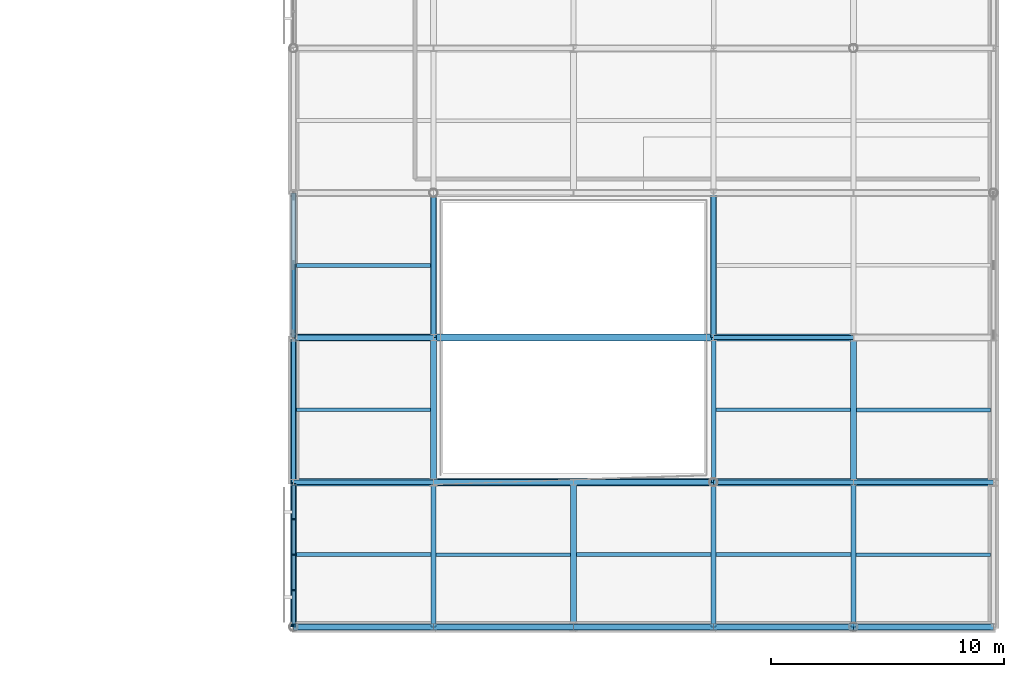
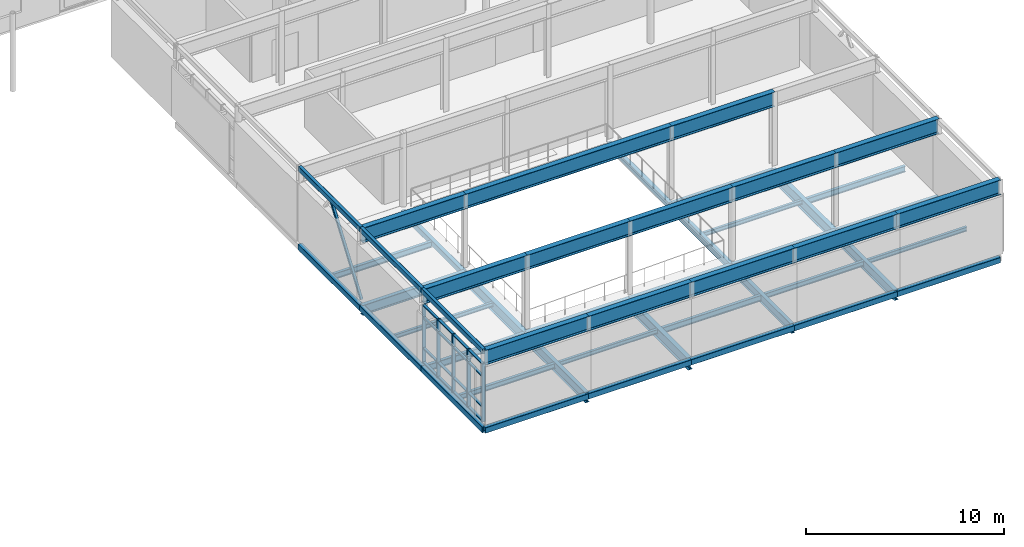
# One storey, part 38 of 84: 49 beams, 22 members, 1 element without a shape of its own.
"""IFC4 building model written with IfcOpenShell, lengths in metres."""

from ifc_helpers import new_model, si_unit, direction, frame, origin, origin_2d, place, context, subcontext, project, spatial, rectangle, hollow_rectangle, i_section, extrude, material, layer, layer_set, material_profile, profile_set, type_object, element, aggregate, save


model = new_model("IFC4")

# Units and contexts
model_context = context("Model", 3, precision=1e-05, world=origin(), true_north=direction((0.0, 1.0)))
body_context = subcontext(model_context, "Body", "Model", "MODEL_VIEW")
ifc_project = project(units=[si_unit("LENGTHUNIT", "METRE"), si_unit("AREAUNIT", "SQUARE_METRE"), si_unit("VOLUMEUNIT", "CUBIC_METRE"), si_unit("PLANEANGLEUNIT", "RADIAN"), si_unit("MASSUNIT", "GRAM", prefix="KILO")], contexts=[model_context])

# Site, building, storey
site_placement = place(None, origin())
site = spatial("IfcSite", under=ifc_project, at=site_placement, CompositionType="ELEMENT")
building_placement = place(site_placement, origin())
building = spatial("IfcBuilding", under=site, at=building_placement, Name="Mirzam Square Science Centre", CompositionType="ELEMENT")
storey_placement = place(building_placement, frame((0.0, 0.0, 10.800048828125)))
storey = spatial("IfcBuildingStorey", under=building, at=storey_placement, Name="L02", CompositionType="ELEMENT", Elevation=10.800048828125)

# Beams
ifc_material_1 = material(Name="Steel S355", Category="steel")
ifc_material_profile_1 = material_profile(ifc_material_1, i_section(OverallWidth=0.1787109375, OverallDepth=0.409423828125, WebThickness=0.0087890625, FlangeThickness=0.014404296875, FilletRadius=0.01025390625, at=origin_2d()), Name="406x178x67UB")
ifc_profile_set_1 = profile_set([ifc_material_profile_1], Name="Steel S355")
beam_type_1 = type_object("IfcBeamType", Name="BM-UB406", PredefinedType="BEAM", material=ifc_profile_set_1)
for number, where, z_axis, x_axis, name in (
    (1, (132.0, 6.199951171875, -0.46484375), (1.0, 0.0, 0.0), (0.0, 1.0, 0.0), "L02 girder X23-2"),
    (2, (156.0, 6.199951171875, -0.46484375), (1.0, 0.0, 0.0), (0.0, 1.0, 0.0), "L02 girder X27-2"),
    (3, (150.0, 12.39990234375, -0.46484375), (1.0, 0.0, 0.0), (0.0, 1.0, 0.0), "L02 girder X26-3"),
):
    element("IfcBeam", number, at=place(storey_placement, frame(where, z_axis=z_axis, x_axis=x_axis)), inside=storey, type_object=beam_type_1, Name=name, PredefinedType="BEAM", context=body_context, shape_type="SweptSolid", body=[
        extrude(i_section(OverallWidth=0.1787109375, OverallDepth=0.409423828125, WebThickness=0.0087890625, FlangeThickness=0.014404296875, FilletRadius=0.01025390625, at=origin_2d()), origin(), (0.0, 0.0, 1.0), 6.0),
    ])
ifc_material_profile_2 = material_profile(ifc_material_1, i_section(OverallWidth=0.19140625, OverallDepth=0.4599609375, WebThickness=0.010009765625, FlangeThickness=0.01611328125, FilletRadius=0.01025390625, at=origin_2d()), Name="457x191x82UB")
ifc_profile_set_2 = profile_set([ifc_material_profile_2], Name="Steel S355")
beam_type_2 = type_object("IfcBeamType", Name="BM-UB457", PredefinedType="BEAM", material=ifc_profile_set_2)
beam_1_placement = place(storey_placement, frame((150.0, 6.199951171875, -0.489990234375), z_axis=(1.0, 0.0, 0.0), x_axis=(0.0, 1.0, 0.0)))
element("IfcBeam", 4, at=beam_1_placement, inside=storey, type_object=beam_type_2, Name="L02 girder X26-2", PredefinedType="BEAM", context=body_context, shape_type="SweptSolid", body=[
    extrude(i_section(OverallWidth=0.19140625, OverallDepth=0.4599609375, WebThickness=0.010009765625, FlangeThickness=0.01611328125, FilletRadius=0.01025390625, at=origin_2d()), origin(), (0.0, 0.0, 1.0), 6.0),
])
beam_2_placement = place(storey_placement, frame((150.0, 6.199951171875, -0.489990234375), z_axis=(0.0, 1.0, 0.0), x_axis=(-1.0, 0.0, 0.0)))
element("IfcBeam", 5, at=beam_2_placement, inside=storey, type_object=beam_type_2, Name="L02 girder Y26-2", PredefinedType="BEAM", context=body_context, shape_type="SweptSolid", body=[
    extrude(i_section(OverallWidth=0.19140625, OverallDepth=0.4599609375, WebThickness=0.010009765625, FlangeThickness=0.01611328125, FilletRadius=0.01025390625, at=origin_2d()), origin(), (0.0, 0.0, 1.0), 6.199951171875),
])
ifc_material_profile_3 = material_profile(ifc_material_1, i_section(OverallWidth=0.2099609375, OverallDepth=0.53662109375, WebThickness=0.0107421875, FlangeThickness=0.017333984375, FilletRadius=0.0126953125, at=origin_2d()), Name="533x210x101UB")
ifc_profile_set_3 = profile_set([ifc_material_profile_3], Name="Steel S355")
beam_type_3 = type_object("IfcBeamType", Name="BM-UB533", PredefinedType="BEAM", material=ifc_profile_set_3)
beam_3_placement = place(storey_placement, frame((150.0, 0.0, -0.528564453125), z_axis=(0.0, 1.0, 0.0), x_axis=(-1.0, 0.0, 0.0)))
element("IfcBeam", 6, at=beam_3_placement, inside=storey, type_object=beam_type_3, Name="L02 girder Y26-1", PredefinedType="BEAM", context=body_context, shape_type="SweptSolid", body=[
    extrude(i_section(OverallWidth=0.2099609375, OverallDepth=0.53662109375, WebThickness=0.0107421875, FlangeThickness=0.017333984375, FilletRadius=0.0126953125, at=origin_2d()), origin(), (0.0, 0.0, 1.0), 6.199951171875),
])
ifc_material_profile_4 = material_profile(ifc_material_1, i_section(OverallWidth=0.22900390625, OverallDepth=0.6123046875, WebThickness=0.011962890625, FlangeThickness=0.01953125, FilletRadius=0.0126953125, at=origin_2d()), Name="610x229x125UB")
ifc_profile_set_4 = profile_set([ifc_material_profile_4], Name="Steel S355")
beam_type_4 = type_object("IfcBeamType", Name="BM-UB610", PredefinedType="BEAM", material=ifc_profile_set_4)
for number, where, z_axis, x_axis, name in (
    (7, (138.0, 6.199951171875, -0.566162109375), (1.0, 0.0, 0.0), (0.0, 1.0, 0.0), "L02 girder X24-2"),
    (8, (132.0, 12.39990234375, -0.566162109375), (1.0, 0.0, 0.0), (0.0, 1.0, 0.0), "L02 girder X23-3"),
):
    element("IfcBeam", number, at=place(storey_placement, frame(where, z_axis=z_axis, x_axis=x_axis)), inside=storey, type_object=beam_type_4, Name=name, PredefinedType="BEAM", context=body_context, shape_type="SweptSolid", body=[
        extrude(i_section(OverallWidth=0.22900390625, OverallDepth=0.6123046875, WebThickness=0.011962890625, FlangeThickness=0.01953125, FilletRadius=0.0126953125, at=origin_2d()), origin(), (0.0, 0.0, 1.0), 6.0),
    ])
for number, where, z_axis, x_axis, name in (
    (9, (138.0, 0.0, -0.566162109375), (0.0, 1.0, 0.0), (-1.0, 0.0, 0.0), "L02 girder Y24-1"),
    (10, (156.0, 0.0, -0.566162109375), (0.0, 1.0, 0.0), (-1.0, 0.0, 0.0), "L02 girder Y27-1"),
):
    element("IfcBeam", number, at=place(storey_placement, frame(where, z_axis=z_axis, x_axis=x_axis)), inside=storey, type_object=beam_type_4, Name=name, PredefinedType="BEAM", context=body_context, shape_type="SweptSolid", body=[
        extrude(i_section(OverallWidth=0.22900390625, OverallDepth=0.6123046875, WebThickness=0.011962890625, FlangeThickness=0.01953125, FilletRadius=0.0126953125, at=origin_2d()), origin(), (0.0, 0.0, 1.0), 6.199951171875),
    ])
ifc_material_profile_5 = material_profile(ifc_material_1, i_section(OverallWidth=0.25439453125, OverallDepth=0.6875, WebThickness=0.01318359375, FlangeThickness=0.02099609375, FilletRadius=0.01513671875, at=origin_2d()), Name="686x254x152UB")
ifc_profile_set_5 = profile_set([ifc_material_profile_5], Name="Steel S355")
beam_type_5 = type_object("IfcBeamType", Name="BM-UB686", PredefinedType="BEAM", material=ifc_profile_set_5)
for number, where, z_axis, x_axis, name in (
    (11, (138.0, 6.199951171875, -0.603759765625), (0.0, 1.0, 0.0), (-1.0, 0.0, 0.0), "L02 girder Y24-2"),
    (12, (144.0, 0.0, -0.603759765625), (0.0, 1.0, 0.0), (-1.0, 0.0, 0.0), "L02 girder Y25-1"),
    (13, (156.0, 6.199951171875, -0.603759765625), (0.0, 1.0, 0.0), (-1.0, 0.0, 0.0), "L02 girder Y27-2"),
):
    element("IfcBeam", number, at=place(storey_placement, frame(where, z_axis=z_axis, x_axis=x_axis)), inside=storey, type_object=beam_type_5, Name=name, PredefinedType="BEAM", context=body_context, shape_type="SweptSolid", body=[
        extrude(i_section(OverallWidth=0.25439453125, OverallDepth=0.6875, WebThickness=0.01318359375, FlangeThickness=0.02099609375, FilletRadius=0.01513671875, at=origin_2d()), origin(), (0.0, 0.0, 1.0), 6.199951171875),
    ])
ifc_material_profile_6 = material_profile(ifc_material_1, i_section(OverallWidth=0.30419921875, OverallDepth=0.910400390625, WebThickness=0.015869140625, FlangeThickness=0.02392578125, FilletRadius=0.01904296875, at=origin_2d()), Name="914x305x224UB")
ifc_profile_set_6 = profile_set([ifc_material_profile_6], Name="Steel S355")
beam_type_6 = type_object("IfcBeamType", Name="BM-UB914", PredefinedType="BEAM", material=ifc_profile_set_6)
for number, where, z_axis, x_axis, name in (
    (14, (132.0, 0.0, 4.07470703125), (1.0, 0.0, 0.0), (0.0, 1.0, 0.0), "Theatre acoustic roof girder 23-1"),
    (15, (138.0, 0.0, 4.07470703125), (1.0, 0.0, 0.0), (0.0, 1.0, 0.0), "Theatre acoustic roof girder 24-1"),
    (16, (144.0, 0.0, 4.07470703125), (1.0, 0.0, 0.0), (0.0, 1.0, 0.0), "Theatre acoustic roof girder 25-1"),
    (17, (150.0, 0.0, 4.07470703125), (1.0, 0.0, 0.0), (0.0, 1.0, 0.0), "Theatre acoustic roof girder 26-1"),
    (18, (156.0, 0.0, 4.07470703125), (1.0, 0.0, 0.0), (0.0, 1.0, 0.0), "Theatre acoustic roof girder 27-1"),
    (19, (132.0, 6.199951171875, 4.07470703125), (1.0, 0.0, 0.0), (0.0, 1.0, 0.0), "Theatre acoustic roof girder 23-2"),
    (20, (138.0, 6.199951171875, 4.07470703125), (1.0, 0.0, 0.0), (0.0, 1.0, 0.0), "Theatre acoustic roof girder 24-2"),
    (21, (144.0, 6.199951171875, 4.07470703125), (1.0, 0.0, 0.0), (0.0, 1.0, 0.0), "Theatre acoustic roof girder 25-2"),
    (22, (150.0, 6.199951171875, 4.07470703125), (1.0, 0.0, 0.0), (0.0, 1.0, 0.0), "Theatre acoustic roof girder 26-2"),
    (23, (156.0, 6.199951171875, 4.07470703125), (1.0, 0.0, 0.0), (0.0, 1.0, 0.0), "Theatre acoustic roof girder 27-2"),
    (24, (132.0, 12.39990234375, 4.07470703125), (1.0, 0.0, 0.0), (0.0, 1.0, 0.0), "Theatre acoustic roof girder 23-3"),
):
    element("IfcBeam", number, at=place(storey_placement, frame(where, z_axis=z_axis, x_axis=x_axis)), inside=storey, type_object=beam_type_6, Name=name, PredefinedType="BEAM", context=body_context, shape_type="SweptSolid", body=[
        extrude(i_section(OverallWidth=0.30419921875, OverallDepth=0.910400390625, WebThickness=0.015869140625, FlangeThickness=0.02392578125, FilletRadius=0.01904296875, at=origin_2d()), origin(), (0.0, 0.0, 1.0), 6.0),
    ])
beam_4_placement = place(storey_placement, frame((138.0, 12.39990234375, 4.07470703125), z_axis=(1.0, 0.0, 0.0), x_axis=(0.0, 1.0, 0.0)))
element("IfcBeam", 25, at=beam_4_placement, inside=storey, type_object=beam_type_6, Name="Theatre long-span acoustic roof girder 24-25", PredefinedType="BEAM", context=body_context, shape_type="SweptSolid", body=[
    extrude(i_section(OverallWidth=0.30419921875, OverallDepth=0.910400390625, WebThickness=0.015869140625, FlangeThickness=0.02392578125, FilletRadius=0.01904296875, at=origin_2d()), origin(), (0.0, 0.0, 1.0), 12.0),
])
beam_5_placement = place(storey_placement, frame((150.0, 12.39990234375, 4.07470703125), z_axis=(1.0, 0.0, 0.0), x_axis=(0.0, 1.0, 0.0)))
element("IfcBeam", 26, at=beam_5_placement, inside=storey, type_object=beam_type_6, Name="Theatre acoustic roof girder 26-3", PredefinedType="BEAM", context=body_context, shape_type="SweptSolid", body=[
    extrude(i_section(OverallWidth=0.30419921875, OverallDepth=0.910400390625, WebThickness=0.015869140625, FlangeThickness=0.02392578125, FilletRadius=0.01904296875, at=origin_2d()), origin(), (0.0, 0.0, 1.0), 6.0),
])

# Member
ifc_material_profile_7 = material_profile(ifc_material_1, hollow_rectangle(XDim=0.14990234375, YDim=0.14990234375, WallThickness=0.008056640625, InnerFilletRadius=0.008056640625, OuterFilletRadius=0.01611328125, at=origin_2d()), Name="150x150x8.0SHS")
ifc_profile_set_7 = profile_set([ifc_material_profile_7], Name="Steel S355")
member_type_1 = type_object("IfcMemberType", Name="BR-SHS150", PredefinedType="BRACE", material=ifc_profile_set_7)
member_1_placement = place(storey_placement, frame((132.0, 12.39990234375, 0.050048828125), z_axis=(0.0, 0.582152888192, 0.813079341005), x_axis=(-1.0, 0.0, 0.0)))
element("IfcMember", 27, at=member_1_placement, inside=storey, type_object=member_type_1, Name="L02 chevron brace 6A", PredefinedType="BRACE", context=body_context, shape_type="SweptSolid", body=[
    extrude(hollow_rectangle(XDim=0.14990234375, YDim=0.14990234375, WallThickness=0.008056640625, InnerFilletRadius=0.008056640625, OuterFilletRadius=0.01611328125, at=origin_2d()), origin(), (0.0, 0.0, 1.0), 5.3251953125),
])

# Curtain wall, members
ifc_material_2 = material(Name="Anodised Aluminium and Low-E Solar Glass", Category="aluminium")
ifc_layer = layer(ifc_material_2, 0.199951171875)
ifc_layer_set = layer_set([ifc_layer], Name="CW-EAST-A")
curtain_wall_type = type_object("IfcCurtainWallType", Name="CW-EAST-A", PredefinedType="USERDEFINED", material=ifc_layer_set)
curtain_wall_placement = place(storey_placement, origin())
curtain_wall = element("IfcCurtainWall", 28, at=curtain_wall_placement, inside=storey, type_object=curtain_wall_type, Name="L02 unitised curtain wall 62", ObjectType="UNITISED CURTAIN WALL", PredefinedType="USERDEFINED")
ifc_material_3 = material(Name="Anodised Architectural Aluminium 6063-T6", Category="aluminium")
ifc_material_profile_8 = material_profile(ifc_material_3, rectangle(XDim=0.06494140625, YDim=0.199951171875, at=origin_2d()), Name="ALU-MULL-200x65x5")
ifc_profile_set_8 = profile_set([ifc_material_profile_8], Name="Anodised Architectural Aluminium 6063-T6")
member_type_2 = type_object("IfcMemberType", Name="CWM-200", PredefinedType="MULLION", material=ifc_profile_set_8)
member_2_placement = place(storey_placement, frame((132.0, 6.112548828125, 0.0), z_axis=(0.0, 0.0, 1.0), x_axis=(0.0, -1.0, 0.0)))
member_2 = element("IfcMember", 29, at=member_2_placement, type_object=member_type_2, Name="CW-05 mullion 1", PredefinedType="MULLION", context=body_context, shape_type="SweptSolid", body=[
    extrude(rectangle(XDim=0.06494140625, YDim=0.199951171875, at=origin_2d()), origin(), (0.0, 0.0, 1.0), 3.579833984375),
])
member_3_placement = place(storey_placement, frame((132.0, 4.62255859375, 0.0), z_axis=(0.0, 0.0, 1.0), x_axis=(0.0, -1.0, 0.0)))
member_3 = element("IfcMember", 30, at=member_3_placement, type_object=member_type_2, Name="CW-05 mullion 2", PredefinedType="MULLION", context=body_context, shape_type="SweptSolid", body=[
    extrude(rectangle(XDim=0.06494140625, YDim=0.199951171875, at=origin_2d()), origin(), (0.0, 0.0, 1.0), 3.579833984375),
])
member_4_placement = place(storey_placement, frame((132.0, 3.10009765625, 0.0), z_axis=(0.0, 0.0, 1.0), x_axis=(0.0, -1.0, 0.0)))
member_4 = element("IfcMember", 31, at=member_4_placement, type_object=member_type_2, Name="CW-05 mullion 3", PredefinedType="MULLION", context=body_context, shape_type="SweptSolid", body=[
    extrude(rectangle(XDim=0.06494140625, YDim=0.199951171875, at=origin_2d()), origin(), (0.0, 0.0, 1.0), 3.579833984375),
])
member_5_placement = place(storey_placement, frame((132.0, 1.577392578125, 0.0), z_axis=(0.0, 0.0, 1.0), x_axis=(0.0, -1.0, 0.0)))
member_5 = element("IfcMember", 32, at=member_5_placement, type_object=member_type_2, Name="CW-05 mullion 4", PredefinedType="MULLION", context=body_context, shape_type="SweptSolid", body=[
    extrude(rectangle(XDim=0.06494140625, YDim=0.199951171875, at=origin_2d()), origin(), (0.0, 0.0, 1.0), 3.579833984375),
])
member_6_placement = place(storey_placement, frame((132.0, 0.08740234375, 0.0), z_axis=(0.0, 0.0, 1.0), x_axis=(0.0, -1.0, 0.0)))
member_6 = element("IfcMember", 33, at=member_6_placement, type_object=member_type_2, Name="CW-05 mullion 5", PredefinedType="MULLION", context=body_context, shape_type="SweptSolid", body=[
    extrude(rectangle(XDim=0.06494140625, YDim=0.199951171875, at=origin_2d()), origin(), (0.0, 0.0, 1.0), 3.579833984375),
])
ifc_material_profile_9 = material_profile(ifc_material_3, rectangle(XDim=0.14990234375, YDim=0.06494140625, at=origin_2d()), Name="ALU-TRAN-150x65x4")
ifc_profile_set_9 = profile_set([ifc_material_profile_9], Name="Anodised Architectural Aluminium 6063-T6")
member_type_3 = type_object("IfcMemberType", Name="CWT-150", PredefinedType="USERDEFINED", material=ifc_profile_set_9)
member_7_placement = place(storey_placement, frame((132.0, 6.080078125, 0.032470703125), z_axis=(0.0, -1.0, 0.0), x_axis=(1.0, 0.0, 0.0)))
member_7 = element("IfcMember", 34, at=member_7_placement, type_object=member_type_3, Name="CW-05 transom 1.1", ObjectType="TRANSOM", PredefinedType="USERDEFINED", context=body_context, shape_type="SweptSolid", body=[
    extrude(rectangle(XDim=0.14990234375, YDim=0.06494140625, at=origin_2d()), origin(), (0.0, 0.0, 1.0), 1.425048828125),
])
member_8_placement = place(storey_placement, frame((132.0, 6.080078125, 0.89990234375), z_axis=(0.0, -1.0, 0.0), x_axis=(1.0, 0.0, 0.0)))
member_8 = element("IfcMember", 35, at=member_8_placement, type_object=member_type_3, Name="CW-05 transom 1.2", ObjectType="TRANSOM", PredefinedType="USERDEFINED", context=body_context, shape_type="SweptSolid", body=[
    extrude(rectangle(XDim=0.14990234375, YDim=0.06494140625, at=origin_2d()), origin(), (0.0, 0.0, 1.0), 1.425048828125),
])
member_9_placement = place(storey_placement, frame((132.0, 6.080078125, 2.780029296875), z_axis=(0.0, -1.0, 0.0), x_axis=(1.0, 0.0, 0.0)))
member_9 = element("IfcMember", 36, at=member_9_placement, type_object=member_type_3, Name="CW-05 transom 1.3", ObjectType="TRANSOM", PredefinedType="USERDEFINED", context=body_context, shape_type="SweptSolid", body=[
    extrude(rectangle(XDim=0.14990234375, YDim=0.06494140625, at=origin_2d()), origin(), (0.0, 0.0, 1.0), 1.425048828125),
])
member_10_placement = place(storey_placement, frame((132.0, 6.080078125, 3.54736328125), z_axis=(0.0, -1.0, 0.0), x_axis=(1.0, 0.0, 0.0)))
member_10 = element("IfcMember", 37, at=member_10_placement, type_object=member_type_3, Name="CW-05 transom 1.4", ObjectType="TRANSOM", PredefinedType="USERDEFINED", context=body_context, shape_type="SweptSolid", body=[
    extrude(rectangle(XDim=0.14990234375, YDim=0.06494140625, at=origin_2d()), origin(), (0.0, 0.0, 1.0), 1.425048828125),
])
member_11_placement = place(storey_placement, frame((132.0, 4.590087890625, 0.032470703125), z_axis=(0.0, -1.0, 0.0), x_axis=(1.0, 0.0, 0.0)))
member_11 = element("IfcMember", 38, at=member_11_placement, type_object=member_type_3, Name="CW-05 transom 2.1", ObjectType="TRANSOM", PredefinedType="USERDEFINED", context=body_context, shape_type="SweptSolid", body=[
    extrude(rectangle(XDim=0.14990234375, YDim=0.06494140625, at=origin_2d()), origin(), (0.0, 0.0, 1.0), 1.45751953125),
])
member_12_placement = place(storey_placement, frame((132.0, 4.590087890625, 0.89990234375), z_axis=(0.0, -1.0, 0.0), x_axis=(1.0, 0.0, 0.0)))
member_12 = element("IfcMember", 39, at=member_12_placement, type_object=member_type_3, Name="CW-05 transom 2.2", ObjectType="TRANSOM", PredefinedType="USERDEFINED", context=body_context, shape_type="SweptSolid", body=[
    extrude(rectangle(XDim=0.14990234375, YDim=0.06494140625, at=origin_2d()), origin(), (0.0, 0.0, 1.0), 1.45751953125),
])
member_13_placement = place(storey_placement, frame((132.0, 4.590087890625, 2.780029296875), z_axis=(0.0, -1.0, 0.0), x_axis=(1.0, 0.0, 0.0)))
member_13 = element("IfcMember", 40, at=member_13_placement, type_object=member_type_3, Name="CW-05 transom 2.3", ObjectType="TRANSOM", PredefinedType="USERDEFINED", context=body_context, shape_type="SweptSolid", body=[
    extrude(rectangle(XDim=0.14990234375, YDim=0.06494140625, at=origin_2d()), origin(), (0.0, 0.0, 1.0), 1.45751953125),
])
member_14_placement = place(storey_placement, frame((132.0, 4.590087890625, 3.54736328125), z_axis=(0.0, -1.0, 0.0), x_axis=(1.0, 0.0, 0.0)))
member_14 = element("IfcMember", 41, at=member_14_placement, type_object=member_type_3, Name="CW-05 transom 2.4", ObjectType="TRANSOM", PredefinedType="USERDEFINED", context=body_context, shape_type="SweptSolid", body=[
    extrude(rectangle(XDim=0.14990234375, YDim=0.06494140625, at=origin_2d()), origin(), (0.0, 0.0, 1.0), 1.45751953125),
])
member_15_placement = place(storey_placement, frame((132.0, 3.0673828125, 0.032470703125), z_axis=(0.0, -1.0, 0.0), x_axis=(1.0, 0.0, 0.0)))
member_15 = element("IfcMember", 42, at=member_15_placement, type_object=member_type_3, Name="CW-05 transom 3.1", ObjectType="TRANSOM", PredefinedType="USERDEFINED", context=body_context, shape_type="SweptSolid", body=[
    extrude(rectangle(XDim=0.14990234375, YDim=0.06494140625, at=origin_2d()), origin(), (0.0, 0.0, 1.0), 1.457275390625),
])
member_16_placement = place(storey_placement, frame((132.0, 3.0673828125, 0.89990234375), z_axis=(0.0, -1.0, 0.0), x_axis=(1.0, 0.0, 0.0)))
member_16 = element("IfcMember", 43, at=member_16_placement, type_object=member_type_3, Name="CW-05 transom 3.2", ObjectType="TRANSOM", PredefinedType="USERDEFINED", context=body_context, shape_type="SweptSolid", body=[
    extrude(rectangle(XDim=0.14990234375, YDim=0.06494140625, at=origin_2d()), origin(), (0.0, 0.0, 1.0), 1.457275390625),
])
member_17_placement = place(storey_placement, frame((132.0, 3.0673828125, 2.780029296875), z_axis=(0.0, -1.0, 0.0), x_axis=(1.0, 0.0, 0.0)))
member_17 = element("IfcMember", 44, at=member_17_placement, type_object=member_type_3, Name="CW-05 transom 3.3", ObjectType="TRANSOM", PredefinedType="USERDEFINED", context=body_context, shape_type="SweptSolid", body=[
    extrude(rectangle(XDim=0.14990234375, YDim=0.06494140625, at=origin_2d()), origin(), (0.0, 0.0, 1.0), 1.457275390625),
])
member_18_placement = place(storey_placement, frame((132.0, 3.0673828125, 3.54736328125), z_axis=(0.0, -1.0, 0.0), x_axis=(1.0, 0.0, 0.0)))
member_18 = element("IfcMember", 45, at=member_18_placement, type_object=member_type_3, Name="CW-05 transom 3.4", ObjectType="TRANSOM", PredefinedType="USERDEFINED", context=body_context, shape_type="SweptSolid", body=[
    extrude(rectangle(XDim=0.14990234375, YDim=0.06494140625, at=origin_2d()), origin(), (0.0, 0.0, 1.0), 1.457275390625),
])
member_19_placement = place(storey_placement, frame((132.0, 1.544921875, 0.032470703125), z_axis=(0.0, -1.0, 0.0), x_axis=(1.0, 0.0, 0.0)))
member_19 = element("IfcMember", 46, at=member_19_placement, type_object=member_type_3, Name="CW-05 transom 4.1", ObjectType="TRANSOM", PredefinedType="USERDEFINED", context=body_context, shape_type="SweptSolid", body=[
    extrude(rectangle(XDim=0.14990234375, YDim=0.06494140625, at=origin_2d()), origin(), (0.0, 0.0, 1.0), 1.4248046875),
])
member_20_placement = place(storey_placement, frame((132.0, 1.544921875, 0.89990234375), z_axis=(0.0, -1.0, 0.0), x_axis=(1.0, 0.0, 0.0)))
member_20 = element("IfcMember", 47, at=member_20_placement, type_object=member_type_3, Name="CW-05 transom 4.2", ObjectType="TRANSOM", PredefinedType="USERDEFINED", context=body_context, shape_type="SweptSolid", body=[
    extrude(rectangle(XDim=0.14990234375, YDim=0.06494140625, at=origin_2d()), origin(), (0.0, 0.0, 1.0), 1.4248046875),
])
member_21_placement = place(storey_placement, frame((132.0, 1.544921875, 2.780029296875), z_axis=(0.0, -1.0, 0.0), x_axis=(1.0, 0.0, 0.0)))
member_21 = element("IfcMember", 48, at=member_21_placement, type_object=member_type_3, Name="CW-05 transom 4.3", ObjectType="TRANSOM", PredefinedType="USERDEFINED", context=body_context, shape_type="SweptSolid", body=[
    extrude(rectangle(XDim=0.14990234375, YDim=0.06494140625, at=origin_2d()), origin(), (0.0, 0.0, 1.0), 1.4248046875),
])
member_22_placement = place(storey_placement, frame((132.0, 1.544921875, 3.54736328125), z_axis=(0.0, -1.0, 0.0), x_axis=(1.0, 0.0, 0.0)))
member_22 = element("IfcMember", 49, at=member_22_placement, type_object=member_type_3, Name="CW-05 transom 4.4", ObjectType="TRANSOM", PredefinedType="USERDEFINED", context=body_context, shape_type="SweptSolid", body=[
    extrude(rectangle(XDim=0.14990234375, YDim=0.06494140625, at=origin_2d()), origin(), (0.0, 0.0, 1.0), 1.4248046875),
])
aggregate(curtain_wall, [member_2, member_3, member_4, member_5, member_6, member_7, member_8, member_9, member_10, member_11, member_12, member_13, member_14, member_15, member_16, member_17, member_18, member_19, member_20, member_21, member_22])

# Beams
ifc_material_profile_10 = material_profile(ifc_material_1, i_section(OverallWidth=0.146484375, OverallDepth=0.256103515625, WebThickness=0.00634765625, FlangeThickness=0.010986328125, FilletRadius=0.007568359375, at=origin_2d()), Name="254x146x37UB")
ifc_profile_set_10 = profile_set([ifc_material_profile_10], Name="Steel S355")
beam_type_7 = type_object("IfcBeamType", Name="JS-UB254", PredefinedType="JOIST", material=ifc_profile_set_10)
beam_6_placement = place(storey_placement, frame((132.125, 9.300048828125, -0.387939453125), z_axis=(1.0, 0.0, 0.0), x_axis=(0.0, 1.0, 0.0)))
element("IfcBeam", 50, at=beam_6_placement, inside=storey, type_object=beam_type_7, Name="L02 composite joist 23-2", PredefinedType="JOIST", context=body_context, shape_type="SweptSolid", body=[
    extrude(i_section(OverallWidth=0.146484375, OverallDepth=0.256103515625, WebThickness=0.00634765625, FlangeThickness=0.010986328125, FilletRadius=0.007568359375, at=origin_2d()), origin(), (0.0, 0.0, 1.0), 5.747802734375),
])
beam_7_placement = place(storey_placement, frame((138.114501953125, 3.10009765625, -0.387939453125), z_axis=(1.0, 0.0, 0.0), x_axis=(0.0, 1.0, 0.0)))
element("IfcBeam", 51, at=beam_7_placement, inside=storey, type_object=beam_type_7, Name="L02 composite joist 24-1", PredefinedType="JOIST", context=body_context, shape_type="SweptSolid", body=[
    extrude(i_section(OverallWidth=0.146484375, OverallDepth=0.256103515625, WebThickness=0.00634765625, FlangeThickness=0.010986328125, FilletRadius=0.007568359375, at=origin_2d()), origin(), (0.0, 0.0, 1.0), 5.75830078125),
])
beam_8_placement = place(storey_placement, frame((150.095703125, 9.300048828125, -0.387939453125), z_axis=(1.0, 0.0, 0.0), x_axis=(0.0, 1.0, 0.0)))
element("IfcBeam", 52, at=beam_8_placement, inside=storey, type_object=beam_type_7, Name="L02 composite joist 26-2", PredefinedType="JOIST", context=body_context, shape_type="SweptSolid", body=[
    extrude(i_section(OverallWidth=0.146484375, OverallDepth=0.256103515625, WebThickness=0.00634765625, FlangeThickness=0.010986328125, FilletRadius=0.007568359375, at=origin_2d()), origin(), (0.0, 0.0, 1.0), 5.777099609375),
])
beam_9_placement = place(storey_placement, frame((156.114501953125, 3.10009765625, -0.387939453125), z_axis=(1.0, 0.0, 0.0), x_axis=(0.0, 1.0, 0.0)))
element("IfcBeam", 53, at=beam_9_placement, inside=storey, type_object=beam_type_7, Name="L02 composite joist 27-1", PredefinedType="JOIST", context=body_context, shape_type="SweptSolid", body=[
    extrude(i_section(OverallWidth=0.146484375, OverallDepth=0.256103515625, WebThickness=0.00634765625, FlangeThickness=0.010986328125, FilletRadius=0.007568359375, at=origin_2d()), origin(), (0.0, 0.0, 1.0), 5.760498046875),
])
ifc_material_profile_11 = material_profile(ifc_material_1, i_section(OverallWidth=0.165771484375, OverallDepth=0.306640625, WebThickness=0.006591796875, FlangeThickness=0.01171875, FilletRadius=0.0087890625, at=origin_2d()), Name="305x165x46UB")
ifc_profile_set_11 = profile_set([ifc_material_profile_11], Name="Steel S355")
beam_type_8 = type_object("IfcBeamType", Name="JS-UB305", PredefinedType="JOIST", material=ifc_profile_set_11)
beam_10_placement = place(storey_placement, frame((132.125, 3.10009765625, -0.413330078125), z_axis=(1.0, 0.0, 0.0), x_axis=(0.0, 1.0, 0.0)))
element("IfcBeam", 54, at=beam_10_placement, inside=storey, type_object=beam_type_8, Name="L02 composite joist 23-1", PredefinedType="JOIST", context=body_context, shape_type="SweptSolid", body=[
    extrude(i_section(OverallWidth=0.165771484375, OverallDepth=0.306640625, WebThickness=0.006591796875, FlangeThickness=0.01171875, FilletRadius=0.0087890625, at=origin_2d()), origin(), (0.0, 0.0, 1.0), 5.760498046875),
])
beam_11_placement = place(storey_placement, frame((150.10498046875, 3.10009765625, -0.413330078125), z_axis=(1.0, 0.0, 0.0), x_axis=(0.0, 1.0, 0.0)))
element("IfcBeam", 55, at=beam_11_placement, inside=storey, type_object=beam_type_8, Name="L02 composite joist 26-1", PredefinedType="JOIST", context=body_context, shape_type="SweptSolid", body=[
    extrude(i_section(OverallWidth=0.165771484375, OverallDepth=0.306640625, WebThickness=0.006591796875, FlangeThickness=0.01171875, FilletRadius=0.0087890625, at=origin_2d()), origin(), (0.0, 0.0, 1.0), 5.780517578125),
])
ifc_material_profile_12 = material_profile(ifc_material_1, i_section(OverallWidth=0.172119140625, OverallDepth=0.35791015625, WebThickness=0.008056640625, FlangeThickness=0.012939453125, FilletRadius=0.01025390625, at=origin_2d()), Name="356x171x57UB")
ifc_profile_set_12 = profile_set([ifc_material_profile_12], Name="Steel S355")
beam_type_9 = type_object("IfcBeamType", Name="JS-UB356", PredefinedType="JOIST", material=ifc_profile_set_12)
beam_12_placement = place(storey_placement, frame((132.125, 15.5, -0.43896484375), z_axis=(1.0, 0.0, 0.0), x_axis=(0.0, 1.0, 0.0)))
element("IfcBeam", 56, at=beam_12_placement, inside=storey, type_object=beam_type_9, Name="L02 composite joist 23-3", PredefinedType="JOIST", context=body_context, shape_type="SweptSolid", body=[
    extrude(i_section(OverallWidth=0.172119140625, OverallDepth=0.35791015625, WebThickness=0.008056640625, FlangeThickness=0.012939453125, FilletRadius=0.01025390625, at=origin_2d()), origin(), (0.0, 0.0, 1.0), 5.75),
])
beam_13_placement = place(storey_placement, frame((144.127197265625, 3.10009765625, -0.43896484375), z_axis=(1.0, 0.0, 0.0), x_axis=(0.0, 1.0, 0.0)))
element("IfcBeam", 57, at=beam_13_placement, inside=storey, type_object=beam_type_9, Name="L02 composite joist 25-1", PredefinedType="JOIST", context=body_context, shape_type="SweptSolid", body=[
    extrude(i_section(OverallWidth=0.172119140625, OverallDepth=0.35791015625, WebThickness=0.008056640625, FlangeThickness=0.012939453125, FilletRadius=0.01025390625, at=origin_2d()), origin(), (0.0, 0.0, 1.0), 5.767822265625),
])
beam_14_placement = place(storey_placement, frame((156.127197265625, 9.300048828125, -0.43896484375), z_axis=(1.0, 0.0, 0.0), x_axis=(0.0, 1.0, 0.0)))
element("IfcBeam", 58, at=beam_14_placement, inside=storey, type_object=beam_type_9, Name="L02 composite joist 27-2", PredefinedType="JOIST", context=body_context, shape_type="SweptSolid", body=[
    extrude(i_section(OverallWidth=0.172119140625, OverallDepth=0.35791015625, WebThickness=0.008056640625, FlangeThickness=0.012939453125, FilletRadius=0.01025390625, at=origin_2d()), origin(), (0.0, 0.0, 1.0), 5.747802734375),
])
ifc_material_profile_13 = material_profile(ifc_material_1, hollow_rectangle(XDim=0.199951171875, YDim=0.300048828125, WallThickness=0.010009765625, InnerFilletRadius=0.010009765625, OuterFilletRadius=0.02001953125, at=origin_2d()), Name="300x200x10.0RHS")
ifc_profile_set_13 = profile_set([ifc_material_profile_13], Name="Steel S355")
beam_type_10 = type_object("IfcBeamType", Name="SP-RHS300", PredefinedType="SPANDREL", material=ifc_profile_set_13)
for number, where, z_axis, x_axis, name in (
    (59, (132.0, 0.0, 4.3798828125), (0.0, 1.0, 0.0), (-1.0, 0.0, 0.0), "Theatre roof edge beam X23-1"),
    (60, (132.0, 6.199951171875, 4.3798828125), (0.0, 1.0, 0.0), (-1.0, 0.0, 0.0), "Theatre roof edge beam X23-2"),
):
    element("IfcBeam", number, at=place(storey_placement, frame(where, z_axis=z_axis, x_axis=x_axis)), inside=storey, type_object=beam_type_10, Name=name, PredefinedType="SPANDREL", context=body_context, shape_type="SweptSolid", body=[
        extrude(hollow_rectangle(XDim=0.199951171875, YDim=0.300048828125, WallThickness=0.010009765625, InnerFilletRadius=0.010009765625, OuterFilletRadius=0.02001953125, at=origin_2d()), origin(), (0.0, 0.0, 1.0), 6.199951171875),
    ])
beam_15_placement = place(storey_placement, frame((132.0, 12.39990234375, 4.3798828125), z_axis=(0.0, 1.0, 0.0), x_axis=(-1.0, 0.0, 0.0)))
element("IfcBeam", 61, at=beam_15_placement, inside=storey, type_object=beam_type_10, Name="Theatre roof edge beam X23-3", PredefinedType="SPANDREL", context=body_context, shape_type="SweptSolid", body=[
    extrude(hollow_rectangle(XDim=0.199951171875, YDim=0.300048828125, WallThickness=0.010009765625, InnerFilletRadius=0.010009765625, OuterFilletRadius=0.02001953125, at=origin_2d()), origin(), (0.0, 0.0, 1.0), 6.2001953125),
])
ifc_material_profile_14 = material_profile(ifc_material_1, hollow_rectangle(XDim=0.25, YDim=0.35009765625, WallThickness=0.012451171875, InnerFilletRadius=0.012451171875, OuterFilletRadius=0.02490234375, at=origin_2d()), Name="350x250x12.5RHS")
ifc_profile_set_14 = profile_set([ifc_material_profile_14], Name="Steel S355")
beam_type_11 = type_object("IfcBeamType", Name="SP-RHS350", PredefinedType="SPANDREL", material=ifc_profile_set_14)
for number, where, z_axis, x_axis, name in (
    (62, (132.0, 0.0, -0.43505859375), (1.0, 0.0, 0.0), (0.0, 1.0, 0.0), "L02 girder X23-1"),
    (63, (138.0, 0.0, -0.43505859375), (1.0, 0.0, 0.0), (0.0, 1.0, 0.0), "L02 girder X24-1"),
    (64, (144.0, 0.0, -0.43505859375), (1.0, 0.0, 0.0), (0.0, 1.0, 0.0), "L02 girder X25-1"),
    (65, (150.0, 0.0, -0.43505859375), (1.0, 0.0, 0.0), (0.0, 1.0, 0.0), "L02 girder X26-1"),
    (66, (156.0, 0.0, -0.43505859375), (1.0, 0.0, 0.0), (0.0, 1.0, 0.0), "L02 girder X27-1"),
    (67, (144.0, 6.199951171875, -0.43505859375), (1.0, 0.0, 0.0), (0.0, 1.0, 0.0), "L02 girder X25-2"),
):
    element("IfcBeam", number, at=place(storey_placement, frame(where, z_axis=z_axis, x_axis=x_axis)), inside=storey, type_object=beam_type_11, Name=name, PredefinedType="SPANDREL", context=body_context, shape_type="SweptSolid", body=[
        extrude(hollow_rectangle(XDim=0.25, YDim=0.35009765625, WallThickness=0.012451171875, InnerFilletRadius=0.012451171875, OuterFilletRadius=0.02490234375, at=origin_2d()), origin(), (0.0, 0.0, 1.0), 6.0),
    ])
for number, where, z_axis, x_axis, name in (
    (68, (132.0, 0.0, -0.43505859375), (0.0, 1.0, 0.0), (-1.0, 0.0, 0.0), "L02 girder Y23-1"),
    (69, (132.0, 6.199951171875, -0.43505859375), (0.0, 1.0, 0.0), (-1.0, 0.0, 0.0), "L02 girder Y23-2"),
):
    element("IfcBeam", number, at=place(storey_placement, frame(where, z_axis=z_axis, x_axis=x_axis)), inside=storey, type_object=beam_type_11, Name=name, PredefinedType="SPANDREL", context=body_context, shape_type="SweptSolid", body=[
        extrude(hollow_rectangle(XDim=0.25, YDim=0.35009765625, WallThickness=0.012451171875, InnerFilletRadius=0.012451171875, OuterFilletRadius=0.02490234375, at=origin_2d()), origin(), (0.0, 0.0, 1.0), 6.199951171875),
    ])
for number, where, z_axis, x_axis, name in (
    (70, (132.0, 12.39990234375, -0.43505859375), (0.0, 1.0, 0.0), (-1.0, 0.0, 0.0), "L02 girder Y23-3"),
    (71, (138.0, 12.39990234375, -0.43505859375), (0.0, 1.0, 0.0), (-1.0, 0.0, 0.0), "L02 girder Y24-3"),
    (72, (150.0, 12.39990234375, -0.43505859375), (0.0, 1.0, 0.0), (-1.0, 0.0, 0.0), "L02 girder Y26-3"),
):
    element("IfcBeam", number, at=place(storey_placement, frame(where, z_axis=z_axis, x_axis=x_axis)), inside=storey, type_object=beam_type_11, Name=name, PredefinedType="SPANDREL", context=body_context, shape_type="SweptSolid", body=[
        extrude(hollow_rectangle(XDim=0.25, YDim=0.35009765625, WallThickness=0.012451171875, InnerFilletRadius=0.012451171875, OuterFilletRadius=0.02490234375, at=origin_2d()), origin(), (0.0, 0.0, 1.0), 6.2001953125),
    ])

save(model, "model.ifc")
